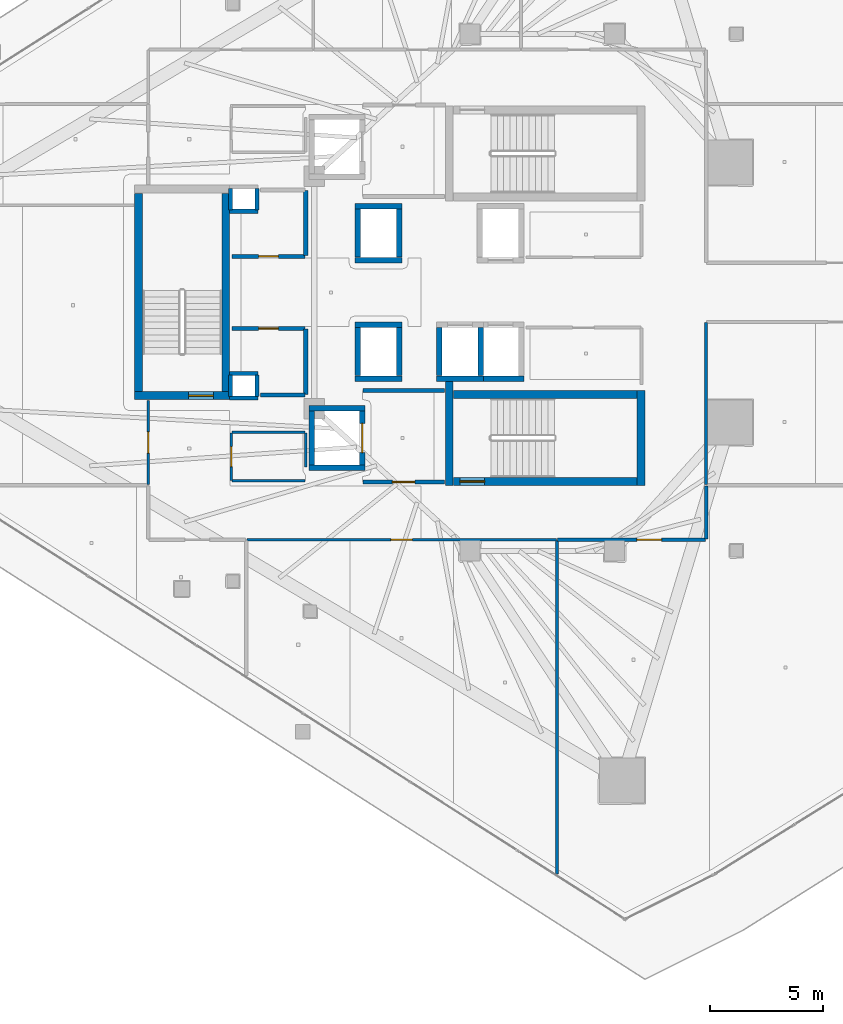
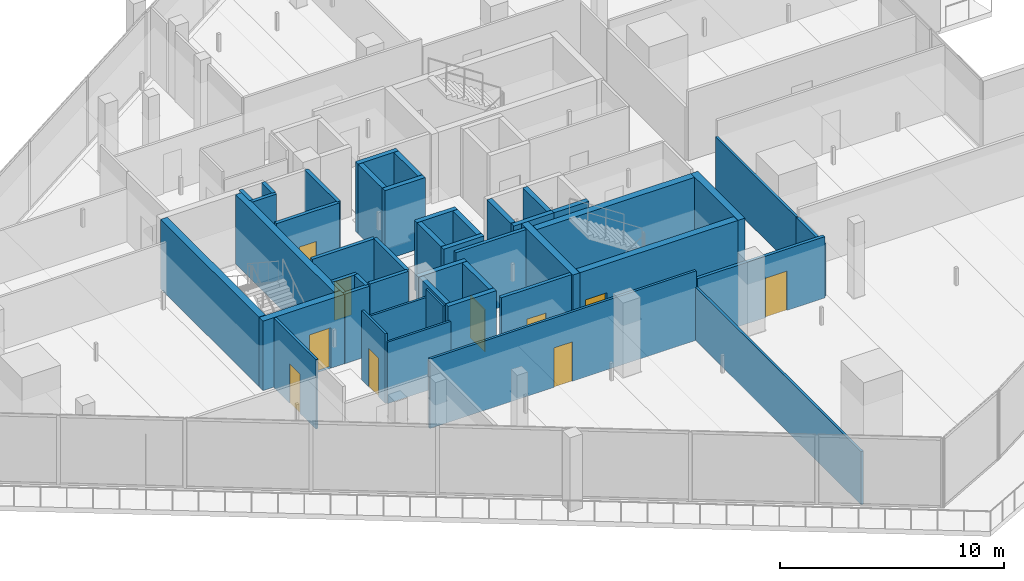
# One storey, part 25 of 37: 47 walls, 10 doors, 10 openings.
"""IFC4 building model written with IfcOpenShell, lengths in metres."""

from ifc_helpers import new_model, si_unit, direction, frame, frame_2d, origin, place, context, subcontext, project, spatial, rectangle, extrude, material, layer, layer_set, type_object, element, fill, save


model = new_model("IFC4")

# Units and contexts
model_context = context("Model", 3, precision=1e-05, world=origin(), true_north=direction((0.0, 1.0)))
body_context = subcontext(model_context, "Body", "Model", "MODEL_VIEW")
ifc_project = project(units=[si_unit("LENGTHUNIT", "METRE"), si_unit("AREAUNIT", "SQUARE_METRE"), si_unit("VOLUMEUNIT", "CUBIC_METRE"), si_unit("PLANEANGLEUNIT", "RADIAN"), si_unit("MASSUNIT", "GRAM", prefix="KILO")], contexts=[model_context])

# Site, building, storey
site_placement = place(None, origin())
site = spatial("IfcSite", under=ifc_project, at=site_placement, CompositionType="ELEMENT")
building_placement = place(site_placement, origin())
building = spatial("IfcBuilding", under=site, at=building_placement, Name="Qorvath Tower", CompositionType="ELEMENT")
storey_placement = place(building_placement, frame((0.0, 0.0, 196.949951171875)))
storey = spatial("IfcBuildingStorey", under=building, at=storey_placement, Name="L45", CompositionType="ELEMENT", Elevation=196.949951171875)

# Walls
ifc_material_1 = material(Name="Gypsum shaftliner on steel studs", Category="steel")
ifc_layer_1 = layer(ifc_material_1, 0.179931640625)
ifc_layer_set_1 = layer_set([ifc_layer_1], Name="FW-LOBBY")
wall_type_1 = type_object("IfcWallType", Name="FW-LOBBY", PredefinedType="PARTITIONING", material=ifc_layer_set_1)
wall_1_placement = place(storey_placement, frame((-32.989990234375, 3.594970703125, 0.0), z_axis=(0.0, 0.0, 1.0), x_axis=(-1.0, 0.0, 0.0)))
element("IfcWall", 1, at=wall_1_placement, inside=storey, type_object=wall_type_1, Name="MEP Riser Shaft Enclosure Wall N-L45-S", PredefinedType="PARTITIONING", context=body_context, shape_type="SweptSolid", body=[
    extrude(rectangle(XDim=1.27001953125, YDim=0.179931640625, at=frame_2d((0.635009765625, 0.0))), origin(), (0.0, 0.0, 1.0), 3.780029296875),
])
for number, where, z_axis, x_axis, name in (
    (2, (-34.205078125, 3.659912109375, 0.0), (0.0, 0.0, 1.0), (0.0, 1.0, 0.0), "MEP Riser Shaft Enclosure Wall N-L45-W"),
    (3, (-33.044921875, 4.610107421875, 0.0), (0.0, 0.0, 1.0), (0.0, -1.0, 0.0), "MEP Riser Shaft Enclosure Wall N-L45-E"),
):
    element("IfcWall", number, at=place(storey_placement, frame(where, z_axis=z_axis, x_axis=x_axis)), inside=storey, type_object=wall_type_1, Name=name, PredefinedType="PARTITIONING", context=body_context, shape_type="SweptSolid", body=[
        extrude(rectangle(XDim=0.9501953125, YDim=0.179931640625, at=frame_2d((0.47509765625, 0.0))), origin(), (0.0, 0.0, 1.0), 3.780029296875),
    ])
for number, where, z_axis, x_axis, name in (
    (4, (-32.989990234375, -4.675048828125, 0.0), (0.0, 0.0, 1.0), (-1.0, 0.0, 0.0), "MEP Riser Shaft Enclosure Wall S-L45-S"),
    (5, (-34.260009765625, -3.594970703125, 0.0), (0.0, 0.0, 1.0), (1.0, 0.0, 0.0), "MEP Riser Shaft Enclosure Wall S-L45-N"),
):
    element("IfcWall", number, at=place(storey_placement, frame(where, z_axis=z_axis, x_axis=x_axis)), inside=storey, type_object=wall_type_1, Name=name, PredefinedType="PARTITIONING", context=body_context, shape_type="SweptSolid", body=[
        extrude(rectangle(XDim=1.27001953125, YDim=0.179931640625, at=frame_2d((0.635009765625, 0.0))), origin(), (0.0, 0.0, 1.0), 3.780029296875),
    ])
for number, where, z_axis, x_axis, name in (
    (6, (-34.205078125, -4.610107421875, 0.0), (0.0, 0.0, 1.0), (0.0, 1.0, 0.0), "MEP Riser Shaft Enclosure Wall S-L45-W"),
    (7, (-33.044921875, -3.659912109375, 0.0), (0.0, 0.0, 1.0), (0.0, -1.0, 0.0), "MEP Riser Shaft Enclosure Wall S-L45-E"),
):
    element("IfcWall", number, at=place(storey_placement, frame(where, z_axis=z_axis, x_axis=x_axis)), inside=storey, type_object=wall_type_1, Name=name, PredefinedType="PARTITIONING", context=body_context, shape_type="SweptSolid", body=[
        extrude(rectangle(XDim=0.9501953125, YDim=0.179931640625, at=frame_2d((0.47509765625, 0.0))), origin(), (0.0, 0.0, 1.0), 3.780029296875),
    ])

# Wall, opening, door
wall_2_placement = place(storey_placement, frame((-28.35498046875, -8.39990234375, 0.0), z_axis=(0.0, 0.0, 1.0), x_axis=(1.0, 0.0, 0.0)))
wall_2 = element("IfcWall", 8, at=wall_2_placement, inside=storey, type_object=wall_type_1, Name="Interior Partition IW-T1-L45-003", PredefinedType="PARTITIONING", context=body_context, shape_type="SweptSolid", body=[
    extrude(rectangle(XDim=3.6220703125, YDim=0.179931640625, at=frame_2d((1.81103515625, 0.0))), origin(), (0.0, 0.0, 1.0), 3.780029296875),
])
opening_1_placement = place(wall_2_placement, frame((1.31103515625, 0.0, 0.0)))
opening_1 = element("IfcOpeningElement", 9, at=opening_1_placement, cuts=wall_2, Name="Opening D-T1-L45-18", PredefinedType="OPENING", context=body_context, shape_type="SweptSolid", body=[
    extrude(rectangle(XDim=1.0, YDim=2.14990234375, at=frame_2d((0.5, 1.074951171875))), frame((0.0, 0.10009765625, 0.0), z_axis=(0.0, -1.0, 0.0), x_axis=(1.0, 0.0, 0.0)), (0.0, 0.0, 1.0), 0.199951171875),
])
ifc_material_2 = material(Name="Painted galvanised hollow metal", Category="steel")
door_type_1 = type_object("IfcDoorType", Name="FD-60", OperationType="NOTDEFINED", PredefinedType="DOOR", material=ifc_material_2)
door_1_placement = place(opening_1_placement, origin())
door_1 = element("IfcDoor", 10, at=door_1_placement, inside=storey, type_object=door_type_1, Name="Lobby Fire Service Elevator South Door D-T1-L45-18", OperationType="SINGLE_SWING_LEFT", OverallHeight=2.14990234375, OverallWidth=1.0, PredefinedType="DOOR", context=body_context, shape_type="SweptSolid", body=[
    extrude(rectangle(XDim=1.0, YDim=2.14990234375, at=frame_2d((0.5, 1.074951171875))), frame((0.0, 0.02490234375, 0.0), z_axis=(0.0, -1.0, 0.0), x_axis=(1.0, 0.0, 0.0)), (0.0, 0.0, 1.0), 0.050048828125),
])
fill(opening_1, door_1)

# Wall
wall_3_placement = place(storey_placement, frame((-24.73291015625, -4.35009765625, 0.0), z_axis=(0.0, 0.0, 1.0), x_axis=(-1.0, 0.0, 0.0)))
element("IfcWall", 11, at=wall_3_placement, inside=storey, type_object=wall_type_1, Name="Interior Partition IW-T1-L45-004", PredefinedType="PARTITIONING", context=body_context, shape_type="SweptSolid", body=[
    extrude(rectangle(XDim=3.6220703125, YDim=0.179931640625, at=frame_2d((1.81103515625, 0.0))), origin(), (0.0, 0.0, 1.0), 3.780029296875),
])

# Wall, opening, door
wall_4_placement = place(storey_placement, frame((-34.15478515625, 1.60009765625, 0.0), z_axis=(0.0, 0.0, 1.0), x_axis=(1.0, 0.0, 0.0)))
wall_4 = element("IfcWall", 12, at=wall_4_placement, inside=storey, type_object=wall_type_1, Name="Interior Partition IW-T1-L45-017", PredefinedType="PARTITIONING", context=body_context, shape_type="SweptSolid", body=[
    extrude(rectangle(XDim=3.25, YDim=0.179931640625, at=frame_2d((1.625, 0.0))), origin(), (0.0, 0.0, 1.0), 3.780029296875),
])
opening_2_placement = place(wall_4_placement, frame((1.18505859375, 0.0, 0.0)))
opening_2 = element("IfcOpeningElement", 13, at=opening_2_placement, cuts=wall_4, Name="Opening D-T1-L45-05", PredefinedType="OPENING", context=body_context, shape_type="SweptSolid", body=[
    extrude(rectangle(XDim=0.8798828125, YDim=2.10009765625, at=frame_2d((0.43994140625, 1.050048828125))), frame((0.0, 0.10009765625, 0.0), z_axis=(0.0, -1.0, 0.0), x_axis=(1.0, 0.0, 0.0)), (0.0, 0.0, 1.0), 0.199951171875),
])
ifc_material_3 = material(Name="Painted galvanised hollow metal", Category="steel")
door_type_2 = type_object("IfcDoorType", Name="FD-60N", OperationType="NOTDEFINED", PredefinedType="DOOR", material=ifc_material_3)
door_2_placement = place(opening_2_placement, origin())
door_2 = element("IfcDoor", 14, at=door_2_placement, inside=storey, type_object=door_type_2, Name="Core telecom and comms room L45 Door D-T1-L45-05", OperationType="SINGLE_SWING_RIGHT", OverallHeight=2.10009765625, OverallWidth=0.8798828125, PredefinedType="DOOR", context=body_context, shape_type="SweptSolid", body=[
    extrude(rectangle(XDim=0.8798828125, YDim=2.10009765625, at=frame_2d((0.43994140625, 1.050048828125))), frame((0.0, 0.02490234375, 0.0), z_axis=(0.0, -1.0, 0.0), x_axis=(1.0, 0.0, 0.0)), (0.0, 0.0, 1.0), 0.050048828125),
])
fill(opening_2, door_2)

# Walls
wall_5_placement = place(storey_placement, frame((-30.8798828125, 1.625, 0.0), z_axis=(0.0, 0.0, 1.0), x_axis=(0.0, 1.0, 0.0)))
element("IfcWall", 15, at=wall_5_placement, inside=storey, type_object=wall_type_1, Name="Interior Partition IW-T1-L45-018", PredefinedType="PARTITIONING", context=body_context, shape_type="SweptSolid", body=[
    extrude(rectangle(XDim=2.889892578125, YDim=0.179931640625, at=frame_2d((1.44482421875, 0.0))), origin(), (0.0, 0.0, 1.0), 3.780029296875),
])
wall_6_placement = place(storey_placement, frame((-32.8798828125, -4.5400390625, 0.0), z_axis=(0.0, 0.0, 1.0), x_axis=(1.0, 0.0, 0.0)))
element("IfcWall", 16, at=wall_6_placement, inside=storey, type_object=wall_type_1, Name="Interior Partition IW-T1-L45-020", PredefinedType="PARTITIONING", context=body_context, shape_type="SweptSolid", body=[
    extrude(rectangle(XDim=1.97509765625, YDim=0.179931640625, at=frame_2d((0.987548828125, 0.0))), origin(), (0.0, 0.0, 1.0), 3.780029296875),
])
wall_7_placement = place(storey_placement, frame((-30.8798828125, -4.514892578125, 0.0), z_axis=(0.0, 0.0, 1.0), x_axis=(0.0, 1.0, 0.0)))
element("IfcWall", 17, at=wall_7_placement, inside=storey, type_object=wall_type_1, Name="Interior Partition IW-T1-L45-021", PredefinedType="PARTITIONING", context=body_context, shape_type="SweptSolid", body=[
    extrude(rectangle(XDim=2.889892578125, YDim=0.179931640625, at=frame_2d((1.44482421875, 0.0))), origin(), (0.0, 0.0, 1.0), 3.780029296875),
])

# Wall, opening, door
wall_8_placement = place(storey_placement, frame((-30.90478515625, -1.60009765625, 0.0), z_axis=(0.0, 0.0, 1.0), x_axis=(-1.0, 0.0, 0.0)))
wall_8 = element("IfcWall", 18, at=wall_8_placement, inside=storey, type_object=wall_type_1, Name="Interior Partition IW-T1-L45-022", PredefinedType="PARTITIONING", context=body_context, shape_type="SweptSolid", body=[
    extrude(rectangle(XDim=3.25, YDim=0.179931640625, at=frame_2d((1.625, 0.0))), origin(), (0.0, 0.0, 1.0), 3.780029296875),
])
opening_3_placement = place(wall_8_placement, frame((1.18505859375, 0.0, 0.0)))
opening_3 = element("IfcOpeningElement", 19, at=opening_3_placement, cuts=wall_8, Name="Opening D-T1-L45-06", PredefinedType="OPENING", context=body_context, shape_type="SweptSolid", body=[
    extrude(rectangle(XDim=0.8798828125, YDim=2.10009765625, at=frame_2d((0.43994140625, 1.050048828125))), frame((0.0, 0.10009765625, 0.0), z_axis=(0.0, -1.0, 0.0), x_axis=(1.0, 0.0, 0.0)), (0.0, 0.0, 1.0), 0.199951171875),
])
door_3_placement = place(opening_3_placement, origin())
door_3 = element("IfcDoor", 20, at=door_3_placement, inside=storey, type_object=door_type_2, Name="Core housekeeping store L45 Door D-T1-L45-06", OperationType="SINGLE_SWING_LEFT", OverallHeight=2.10009765625, OverallWidth=0.8798828125, PredefinedType="DOOR", context=body_context, shape_type="SweptSolid", body=[
    extrude(rectangle(XDim=0.8798828125, YDim=2.10009765625, at=frame_2d((0.43994140625, 1.050048828125))), frame((0.0, 0.02490234375, 0.0), z_axis=(0.0, -1.0, 0.0), x_axis=(1.0, 0.0, 0.0)), (0.0, 0.0, 1.0), 0.050048828125),
])
fill(opening_3, door_3)

# Wall
ifc_material_4 = material(Name="Double acoustic gypsum board on steel studs", Category="steel")
ifc_layer_2 = layer(ifc_material_4, 0.159912109375)
ifc_layer_set_2 = layer_set([ifc_layer_2], Name="IW-ACOUSTIC-160")
wall_type_2 = type_object("IfcWallType", Name="IW-ACOUSTIC-160", PredefinedType="PARTITIONING", material=ifc_layer_set_2)
wall_9_placement = place(storey_placement, frame((-13.14208984375, -8.574951171875, 0.0), z_axis=(0.0, 0.0, 1.0), x_axis=(0.0, -1.0, 0.0)))
element("IfcWall", 21, at=wall_9_placement, inside=storey, type_object=wall_type_2, Name="Interior Partition IW-T1-L45-041", PredefinedType="PARTITIONING", context=body_context, shape_type="SweptSolid", body=[
    extrude(rectangle(XDim=2.358154296875, YDim=0.159912109375, at=frame_2d((1.17919921875, 0.0))), origin(), (0.0, 0.0, 1.0), 2.89990234375),
])

# Wall, opening, door
wall_10_placement = place(storey_placement, frame((-13.1669921875, -10.9580078125, 0.0), z_axis=(0.0, 0.0, 1.0), x_axis=(-1.0, 0.0, 0.0)))
wall_10 = element("IfcWall", 22, at=wall_10_placement, inside=storey, type_object=wall_type_2, Name="Interior Partition IW-T1-L45-042", PredefinedType="PARTITIONING", context=body_context, shape_type="SweptSolid", body=[
    extrude(rectangle(XDim=6.552001953125, YDim=0.159912109375, at=frame_2d((3.27587890625, 0.0))), origin(), (0.0, 0.0, 1.0), 3.34423828125),
])
opening_4_placement = place(wall_10_placement, frame((1.947021484375, 0.0, 0.0)))
opening_4 = element("IfcOpeningElement", 23, at=opening_4_placement, cuts=wall_10, Name="Opening D-T1-L45-12", PredefinedType="OPENING", context=body_context, shape_type="SweptSolid", body=[
    extrude(rectangle(XDim=1.10009765625, YDim=2.14990234375, at=frame_2d((0.550048828125, 1.074951171875))), frame((0.0, 0.08984375, 0.0), z_axis=(0.0, -1.0, 0.0), x_axis=(1.0, 0.0, 0.0)), (0.0, 0.0, 1.0), 0.179931640625),
])
ifc_material_5 = material(Name="Anodised aluminium acoustic framed glass", Category="aluminium")
door_type_3 = type_object("IfcDoorType", Name="D-03", OperationType="NOTDEFINED", PredefinedType="DOOR", material=ifc_material_5)
door_4_placement = place(opening_4_placement, origin())
door_4 = element("IfcDoor", 24, at=door_4_placement, inside=storey, type_object=door_type_3, Name="L45-06 Team Project Office Door D-T1-L45-12", OperationType="SINGLE_SWING_LEFT", OverallHeight=2.14990234375, OverallWidth=1.10009765625, PredefinedType="DOOR", context=body_context, shape_type="SweptSolid", body=[
    extrude(rectangle(XDim=1.10009765625, YDim=2.14990234375, at=frame_2d((0.550048828125, 1.074951171875))), frame((0.0, 0.02490234375, 0.0), z_axis=(0.0, -1.0, 0.0), x_axis=(1.0, 0.0, 0.0)), (0.0, 0.0, 1.0), 0.050048828125),
])
fill(opening_4, door_4)

ifc_material_6 = material(Name="Gypsum board on metal studs with mineral wool", Category="gypsum")
ifc_layer_3 = layer(ifc_material_6, 0.125)
ifc_layer_set_3 = layer_set([ifc_layer_3], Name="IW-PART-125")
wall_type_3 = type_object("IfcWallType", Name="IW-PART-125", PredefinedType="PARTITIONING", material=ifc_layer_set_3)
wall_11_placement = place(storey_placement, frame((-19.777099609375, -10.9580078125, 0.0), z_axis=(0.0, 0.0, 1.0), x_axis=(-1.0, 0.0, 0.0)))
wall_11 = element("IfcWall", 25, at=wall_11_placement, inside=storey, type_object=wall_type_3, Name="Interior Partition IW-T1-L45-038", PredefinedType="PARTITIONING", context=body_context, shape_type="SweptSolid", body=[
    extrude(rectangle(XDim=13.70849609375, YDim=0.125, at=frame_2d((6.854248046875, 0.0))), origin(), (0.0, 0.0, 1.0), 3.780029296875),
])
opening_5_placement = place(wall_11_placement, frame((6.379150390625, 0.0, 0.0)))
opening_5 = element("IfcOpeningElement", 26, at=opening_5_placement, cuts=wall_11, Name="Opening D-T1-L45-11", PredefinedType="OPENING", context=body_context, shape_type="SweptSolid", body=[
    extrude(rectangle(XDim=0.949951171875, YDim=2.14990234375, at=frame_2d((0.47509765625, 1.074951171875))), frame((0.0, 0.072509765625, 0.0), z_axis=(0.0, -1.0, 0.0), x_axis=(1.0, 0.0, 0.0)), (0.0, 0.0, 1.0), 0.14501953125),
])
ifc_material_7 = material(Name="Solid-core American white oak veneer", Category="wood")
door_type_4 = type_object("IfcDoorType", Name="D-01", OperationType="NOTDEFINED", PredefinedType="DOOR", material=ifc_material_7)
door_5_placement = place(opening_5_placement, origin())
door_5 = element("IfcDoor", 27, at=door_5_placement, inside=storey, type_object=door_type_4, Name="L45-05 Quantitative Research Studio Door D-T1-L45-11", OperationType="SINGLE_SWING_RIGHT", OverallHeight=2.14990234375, OverallWidth=0.949951171875, PredefinedType="DOOR", context=body_context, shape_type="SweptSolid", body=[
    extrude(rectangle(XDim=0.949951171875, YDim=2.14990234375, at=frame_2d((0.47509765625, 1.074951171875))), frame((0.0, 0.02490234375, 0.0), z_axis=(0.0, -1.0, 0.0), x_axis=(1.0, 0.0, 0.0)), (0.0, 0.0, 1.0), 0.050048828125),
])
fill(opening_5, door_5)

# Walls
wall_12_placement = place(storey_placement, frame((-19.752197265625, -25.767822265625, 0.0), z_axis=(0.0, 0.0, 1.0), x_axis=(0.0, 1.0, 0.0)))
element("IfcWall", 28, at=wall_12_placement, inside=storey, type_object=wall_type_3, Name="Interior Partition IW-T1-L45-039", PredefinedType="PARTITIONING", context=body_context, shape_type="SweptSolid", body=[
    extrude(rectangle(XDim=14.784912109375, YDim=0.125, at=frame_2d((7.392578125, 0.0))), origin(), (0.0, 0.0, 1.0), 2.89501953125),
])
wall_13_placement = place(storey_placement, frame((-13.14208984375, -1.3330078125, 0.0), z_axis=(0.0, 0.0, 1.0), x_axis=(0.0, -1.0, 0.0)))
element("IfcWall", 29, at=wall_13_placement, inside=storey, type_object=wall_type_3, Name="Interior Partition IW-T1-L45-044", PredefinedType="PARTITIONING", context=body_context, shape_type="SweptSolid", body=[
    extrude(rectangle(XDim=7.18408203125, YDim=0.125, at=frame_2d((3.592041015625, 0.0))), origin(), (0.0, 0.0, 1.0), 2.89990234375),
])

# Wall, opening, door
wall_14_placement = place(storey_placement, frame((-37.85791015625, -8.51708984375, 0.0), z_axis=(0.0, 0.0, 1.0), x_axis=(0.0, 1.0, 0.0)))
wall_14 = element("IfcWall", 30, at=wall_14_placement, inside=storey, type_object=wall_type_3, Name="Interior Partition IW-T1-L45-047", PredefinedType="PARTITIONING", context=body_context, shape_type="SweptSolid", body=[
    extrude(rectangle(XDim=3.73388671875, YDim=0.125, at=frame_2d((1.866943359375, 0.0))), origin(), (0.0, 0.0, 1.0), 3.780029296875),
])
opening_6_placement = place(wall_14_placement, frame((1.391845703125, 0.0, 0.0)))
opening_6 = element("IfcOpeningElement", 31, at=opening_6_placement, cuts=wall_14, Name="Opening D-T1-L45-15", PredefinedType="OPENING", context=body_context, shape_type="SweptSolid", body=[
    extrude(rectangle(XDim=0.949951171875, YDim=2.14990234375, at=frame_2d((0.47509765625, 1.074951171875))), frame((0.0, 0.072509765625, 0.0), z_axis=(0.0, -1.0, 0.0), x_axis=(1.0, 0.0, 0.0)), (0.0, 0.0, 1.0), 0.14501953125),
])
door_6_placement = place(opening_6_placement, origin())
door_6 = element("IfcDoor", 32, at=door_6_placement, inside=storey, type_object=door_type_4, Name="L45-09 Focus Collaboration Pod Door D-T1-L45-15", OperationType="SINGLE_SWING_RIGHT", OverallHeight=2.14990234375, OverallWidth=0.949951171875, PredefinedType="DOOR", context=body_context, shape_type="SweptSolid", body=[
    extrude(rectangle(XDim=0.949951171875, YDim=2.14990234375, at=frame_2d((0.47509765625, 1.074951171875))), frame((0.0, 0.02490234375, 0.0), z_axis=(0.0, -1.0, 0.0), x_axis=(1.0, 0.0, 0.0)), (0.0, 0.0, 1.0), 0.050048828125),
])
fill(opening_6, door_6)

ifc_material_8 = material(Name="Moisture-resistant cement board on metal studs", Category="gypsum")
ifc_layer_4 = layer(ifc_material_8, 0.110107421875)
ifc_layer_set_4 = layer_set([ifc_layer_4], Name="IW-WC-110")
wall_type_4 = type_object("IfcWallType", Name="IW-WC-110", PredefinedType="PARTITIONING", material=ifc_layer_set_4)
wall_15_placement = place(storey_placement, frame((-34.179931640625, -6.22509765625, 0.0), z_axis=(0.0, 0.0, 1.0), x_axis=(0.0, -1.0, 0.0)))
wall_15 = element("IfcWall", 33, at=wall_15_placement, inside=storey, type_object=wall_type_4, Name="Interior Partition IW-T1-L45-009", PredefinedType="PARTITIONING", context=body_context, shape_type="SweptSolid", body=[
    extrude(rectangle(XDim=2.10009765625, YDim=0.110107421875, at=frame_2d((1.050048828125, 0.0))), origin(), (0.0, 0.0, 1.0), 3.780029296875),
])
opening_7_placement = place(wall_15_placement, frame((0.610107421875, 0.0, 0.0)))
opening_7 = element("IfcOpeningElement", 34, at=opening_7_placement, cuts=wall_15, Name="Opening D-T1-L45-02", PredefinedType="OPENING", context=body_context, shape_type="SweptSolid", body=[
    extrude(rectangle(XDim=0.8798828125, YDim=2.10009765625, at=frame_2d((0.43994140625, 1.050048828125))), frame((0.0, 0.06494140625, 0.0), z_axis=(0.0, -1.0, 0.0), x_axis=(1.0, 0.0, 0.0)), (0.0, 0.0, 1.0), 0.130126953125),
])
ifc_material_9 = material(Name="Solid-core oak with acoustic drop seal", Category="wood")
door_type_5 = type_object("IfcDoorType", Name="D-02", OperationType="NOTDEFINED", PredefinedType="DOOR", material=ifc_material_9)
door_7_placement = place(opening_7_placement, origin())
door_7 = element("IfcDoor", 35, at=door_7_placement, inside=storey, type_object=door_type_5, Name="Accessible WC South L45 Door D-T1-L45-02", OperationType="SINGLE_SWING_LEFT", OverallHeight=2.10009765625, OverallWidth=0.8798828125, PredefinedType="DOOR", context=body_context, shape_type="SweptSolid", body=[
    extrude(rectangle(XDim=0.8798828125, YDim=2.10009765625, at=frame_2d((0.43994140625, 1.050048828125))), frame((0.0, 0.02490234375, 0.0), z_axis=(0.0, -1.0, 0.0), x_axis=(1.0, 0.0, 0.0)), (0.0, 0.0, 1.0), 0.050048828125),
])
fill(opening_7, door_7)

# Walls
wall_16_placement = place(storey_placement, frame((-34.15478515625, -8.35009765625, 0.0), z_axis=(0.0, 0.0, 1.0), x_axis=(1.0, 0.0, 0.0)))
element("IfcWall", 36, at=wall_16_placement, inside=storey, type_object=wall_type_4, Name="Interior Partition IW-T1-L45-010", PredefinedType="PARTITIONING", context=body_context, shape_type="SweptSolid", body=[
    extrude(rectangle(XDim=3.25, YDim=0.110107421875, at=frame_2d((1.625, 0.0))), origin(), (0.0, 0.0, 1.0), 3.34423828125),
])
wall_17_placement = place(storey_placement, frame((-30.8798828125, -7.742919921875, 0.0), z_axis=(0.0, 0.0, 1.0), x_axis=(0.0, 1.0, 0.0)))
element("IfcWall", 37, at=wall_17_placement, inside=storey, type_object=wall_type_4, Name="Interior Partition IW-T1-L45-011", PredefinedType="PARTITIONING", context=body_context, shape_type="SweptSolid", body=[
    extrude(rectangle(XDim=1.517822265625, YDim=0.110107421875, at=frame_2d((0.7587890625, 0.0))), origin(), (0.0, 0.0, 1.0), 3.780029296875),
])
wall_18_placement = place(storey_placement, frame((-30.90478515625, -6.199951171875, 0.0), z_axis=(0.0, 0.0, 1.0), x_axis=(-1.0, 0.0, 0.0)))
element("IfcWall", 38, at=wall_18_placement, inside=storey, type_object=wall_type_4, Name="Interior Partition IW-T1-L45-012", PredefinedType="PARTITIONING", context=body_context, shape_type="SweptSolid", body=[
    extrude(rectangle(XDim=3.25, YDim=0.110107421875, at=frame_2d((1.625, 0.0))), origin(), (0.0, 0.0, 1.0), 3.34423828125),
])
ifc_material_10 = material(Name="Concrete C60/75", Category="concrete")
ifc_layer_5 = layer(ifc_material_10, 0.260009765625)
ifc_layer_set_5 = layer_set([ifc_layer_5], Name="SW-SHAFT")
wall_type_5 = type_object("IfcWallType", Name="SW-SHAFT", PredefinedType="SHEAR", material=ifc_layer_set_5)
for number, where, z_axis, x_axis, name in (
    (39, (-28.260009765625, -7.77001953125, 0.0), (0.0, 0.0, 1.0), (-1.0, 0.0, 0.0), "Hoistway Wall FSAE-2 L45 S"),
    (40, (-30.739990234375, -5.1298828125, 0.0), (0.0, 0.0, 1.0), (1.0, 0.0, 0.0), "Hoistway Wall FSAE-2 L45 N"),
):
    element("IfcWall", number, at=place(storey_placement, frame(where, z_axis=z_axis, x_axis=x_axis)), inside=storey, type_object=wall_type_5, Name=name, PredefinedType="SHEAR", context=body_context, shape_type="SweptSolid", body=[
        extrude(rectangle(XDim=2.47998046875, YDim=0.239990234375, at=frame_2d((1.239990234375, 0.0))), origin(), (0.0, 0.0, 1.0), 3.780029296875),
    ])
wall_19_placement = place(storey_placement, frame((-30.6201171875, -7.637939453125, 0.0), z_axis=(0.0, 0.0, 1.0), x_axis=(0.0, 1.0, 0.0)))
element("IfcWall", 41, at=wall_19_placement, inside=storey, type_object=wall_type_5, Name="Hoistway Wall FSAE-2 L45 W", PredefinedType="SHEAR", context=body_context, shape_type="SweptSolid", body=[
    extrude(rectangle(XDim=2.3759765625, YDim=0.239990234375, at=frame_2d((1.18798828125, 0.0))), origin(), (0.0, 0.0, 1.0), 3.780029296875),
])

# Wall, opening, door
wall_20_placement = place(storey_placement, frame((-28.3798828125, -5.261962890625, 0.0), z_axis=(0.0, 0.0, 1.0), x_axis=(0.0, -1.0, 0.0)))
wall_20 = element("IfcWall", 42, at=wall_20_placement, inside=storey, type_object=wall_type_5, Name="Hoistway Wall FSAE-2 L45 E", PredefinedType="SHEAR", context=body_context, shape_type="SweptSolid", body=[
    extrude(rectangle(XDim=2.3759765625, YDim=0.239990234375, at=frame_2d((1.18798828125, 0.0))), origin(), (0.0, 0.0, 1.0), 3.780029296875),
])
opening_8_placement = place(wall_20_placement, frame((0.5380859375, 0.0, 0.0)))
opening_8 = element("IfcOpeningElement", 43, at=opening_8_placement, cuts=wall_20, Name="Opening LD-FSAE-2-L45", PredefinedType="OPENING", context=body_context, shape_type="SweptSolid", body=[
    extrude(rectangle(XDim=1.300048828125, YDim=2.300048828125, at=frame_2d((0.64990234375, 1.14990234375))), frame((0.0, 0.1298828125, 0.0), z_axis=(0.0, -1.0, 0.0), x_axis=(1.0, 0.0, 0.0)), (0.0, 0.0, 1.0), 0.260009765625),
])
ifc_material_11 = material(Name="Brushed stainless steel AISI 316", Category="steel")
door_type_6 = type_object("IfcDoorType", Name="LD-02", OperationType="NOTDEFINED", PredefinedType="DOOR", material=ifc_material_11)
door_8_placement = place(opening_8_placement, origin())
door_8 = element("IfcDoor", 44, at=door_8_placement, inside=storey, type_object=door_type_6, Name="Elevator Landing Sliding Door LD-FSAE-2-L45", OperationType="DOUBLE_DOOR_SLIDING", OverallHeight=2.300048828125, OverallWidth=1.300048828125, PredefinedType="DOOR", context=body_context, shape_type="SweptSolid", body=[
    extrude(rectangle(XDim=1.300048828125, YDim=2.300048828125, at=frame_2d((0.64990234375, 1.14990234375))), frame((0.0, 0.02490234375, 0.0), z_axis=(0.0, -1.0, 0.0), x_axis=(1.0, 0.0, 0.0)), (0.0, 0.0, 1.0), 0.050048828125),
])
fill(opening_8, door_8)

# Walls
for number, where, z_axis, x_axis, name in (
    (45, (-26.610107421875, 1.429931640625, 0.0), (0.0, 0.0, 1.0), (-1.0, 0.0, 0.0), "Hoistway Wall PS-1 L45 S"),
    (46, (-28.68994140625, 3.820068359375, 0.0), (0.0, 0.0, 1.0), (1.0, 0.0, 0.0), "Hoistway Wall PS-1 L45 N"),
):
    element("IfcWall", number, at=place(storey_placement, frame(where, z_axis=z_axis, x_axis=x_axis)), inside=storey, type_object=wall_type_5, Name=name, PredefinedType="SHEAR", context=body_context, shape_type="SweptSolid", body=[
        extrude(rectangle(XDim=2.079833984375, YDim=0.239990234375, at=frame_2d((1.0400390625, 0.0))), origin(), (0.0, 0.0, 1.0), 3.780029296875),
    ])
for number, where, z_axis, x_axis, name in (
    (47, (-28.570068359375, 1.56201171875, 0.0), (0.0, 0.0, 1.0), (0.0, 1.0, 0.0), "Hoistway Wall PS-1 L45 W"),
    (48, (-26.72998046875, 3.68798828125, 0.0), (0.0, 0.0, 1.0), (0.0, -1.0, 0.0), "Hoistway Wall PS-1 L45 E"),
):
    element("IfcWall", number, at=place(storey_placement, frame(where, z_axis=z_axis, x_axis=x_axis)), inside=storey, type_object=wall_type_5, Name=name, PredefinedType="SHEAR", context=body_context, shape_type="SweptSolid", body=[
        extrude(rectangle(XDim=2.1259765625, YDim=0.239990234375, at=frame_2d((1.06298828125, 0.0))), origin(), (0.0, 0.0, 1.0), 3.780029296875),
    ])
for number, where, z_axis, x_axis, name in (
    (49, (-26.610107421875, -3.820068359375, 0.0), (0.0, 0.0, 1.0), (-1.0, 0.0, 0.0), "Hoistway Wall PS-2 L45 S"),
    (50, (-28.68994140625, -1.429931640625, 0.0), (0.0, 0.0, 1.0), (1.0, 0.0, 0.0), "Hoistway Wall PS-2 L45 N"),
):
    element("IfcWall", number, at=place(storey_placement, frame(where, z_axis=z_axis, x_axis=x_axis)), inside=storey, type_object=wall_type_5, Name=name, PredefinedType="SHEAR", context=body_context, shape_type="SweptSolid", body=[
        extrude(rectangle(XDim=2.079833984375, YDim=0.239990234375, at=frame_2d((1.0400390625, 0.0))), origin(), (0.0, 0.0, 1.0), 3.780029296875),
    ])
for number, where, z_axis, x_axis, name in (
    (51, (-28.570068359375, -3.68798828125, 0.0), (0.0, 0.0, 1.0), (0.0, 1.0, 0.0), "Hoistway Wall PS-2 L45 W"),
    (52, (-26.72998046875, -1.56201171875, 0.0), (0.0, 0.0, 1.0), (0.0, -1.0, 0.0), "Hoistway Wall PS-2 L45 E"),
):
    element("IfcWall", number, at=place(storey_placement, frame(where, z_axis=z_axis, x_axis=x_axis)), inside=storey, type_object=wall_type_5, Name=name, PredefinedType="SHEAR", context=body_context, shape_type="SweptSolid", body=[
        extrude(rectangle(XDim=2.1259765625, YDim=0.239990234375, at=frame_2d((1.06298828125, 0.0))), origin(), (0.0, 0.0, 1.0), 3.780029296875),
    ])
wall_21_placement = place(storey_placement, frame((-23.010009765625, -3.820068359375, 0.0), z_axis=(0.0, 0.0, 1.0), x_axis=(-1.0, 0.0, 0.0)))
element("IfcWall", 53, at=wall_21_placement, inside=storey, type_object=wall_type_5, Name="Hoistway Wall PU-2 L45 S", PredefinedType="SHEAR", context=body_context, shape_type="SweptSolid", body=[
    extrude(rectangle(XDim=2.080078125, YDim=0.239990234375, at=frame_2d((1.0400390625, 0.0))), origin(), (0.0, 0.0, 1.0), 3.780029296875),
])
for number, where, z_axis, x_axis, name in (
    (54, (-24.969970703125, -3.68798828125, 0.0), (0.0, 0.0, 1.0), (0.0, 1.0, 0.0), "Hoistway Wall PU-2 L45 W"),
    (55, (-23.1298828125, -1.56201171875, 0.0), (0.0, 0.0, 1.0), (0.0, -1.0, 0.0), "Hoistway Wall PU-2 L45 E"),
):
    element("IfcWall", number, at=place(storey_placement, frame(where, z_axis=z_axis, x_axis=x_axis)), inside=storey, type_object=wall_type_5, Name=name, PredefinedType="SHEAR", context=body_context, shape_type="SweptSolid", body=[
        extrude(rectangle(XDim=2.1259765625, YDim=0.239990234375, at=frame_2d((1.06298828125, 0.0))), origin(), (0.0, 0.0, 1.0), 3.780029296875),
    ])
wall_22_placement = place(storey_placement, frame((-21.2099609375, -3.820068359375, 0.0), z_axis=(0.0, 0.0, 1.0), x_axis=(-1.0, 0.0, 0.0)))
element("IfcWall", 56, at=wall_22_placement, inside=storey, type_object=wall_type_5, Name="Hoistway Wall PU-3 L45 S", PredefinedType="SHEAR", context=body_context, shape_type="SweptSolid", body=[
    extrude(rectangle(XDim=1.800048828125, YDim=0.239990234375, at=frame_2d((0.89990234375, 0.0))), origin(), (0.0, 0.0, 1.0), 3.780029296875),
])
ifc_material_12 = material(Name="Concrete C60/75", Category="concrete")
ifc_layer_6 = layer(ifc_material_12, 0.35009765625)
ifc_layer_set_6 = layer_set([ifc_layer_6], Name="SW-STAIR")
wall_type_6 = type_object("IfcWallType", Name="SW-STAIR", PredefinedType="SHEAR", material=ifc_layer_set_6)
wall_23_placement = place(storey_placement, frame((-24.52490234375, -3.93994140625, 0.0), z_axis=(0.0, 0.0, 1.0), x_axis=(0.0, -1.0, 0.0)))
element("IfcWall", 57, at=wall_23_placement, inside=storey, type_object=wall_type_6, Name="Stair TS2 Shear Wall L45 NEAR", PredefinedType="SHEAR", context=body_context, shape_type="SweptSolid", body=[
    extrude(rectangle(XDim=4.610107421875, YDim=0.35009765625, at=frame_2d((2.30517578125, 0.0))), origin(), (0.0, 0.0, 1.0), 3.780029296875),
])
wall_24_placement = place(storey_placement, frame((-16.02490234375, -8.550048828125, 0.0), z_axis=(0.0, 0.0, 1.0), x_axis=(0.0, 1.0, 0.0)))
element("IfcWall", 58, at=wall_24_placement, inside=storey, type_object=wall_type_6, Name="Stair TS2 Shear Wall L45 FAR", PredefinedType="SHEAR", context=body_context, shape_type="SweptSolid", body=[
    extrude(rectangle(XDim=4.2099609375, YDim=0.35009765625, at=frame_2d((2.10498046875, 0.0))), origin(), (0.0, 0.0, 1.0), 3.780029296875),
])

# Wall, opening, door
wall_25_placement = place(storey_placement, frame((-24.3349609375, -8.375, 0.0), z_axis=(0.0, 0.0, 1.0), x_axis=(1.0, 0.0, 0.0)))
wall_25 = element("IfcWall", 59, at=wall_25_placement, inside=storey, type_object=wall_type_6, Name="Stair TS2 Shear Wall L45 LEFT", PredefinedType="SHEAR", context=body_context, shape_type="SweptSolid", body=[
    extrude(rectangle(XDim=8.119873046875, YDim=0.35009765625, at=frame_2d((4.06005859375, 0.0))), origin(), (0.0, 0.0, 1.0), 3.780029296875),
])
opening_9_placement = place(wall_25_placement, frame((0.280029296875, 0.0, 0.0)))
opening_9 = element("IfcOpeningElement", 60, at=opening_9_placement, cuts=wall_25, Name="Opening D-TS2-L45", PredefinedType="OPENING", context=body_context, shape_type="SweptSolid", body=[
    extrude(rectangle(XDim=1.10009765625, YDim=2.199951171875, at=frame_2d((0.550048828125, 1.10009765625))), frame((0.0, 0.18505859375, 0.0), z_axis=(0.0, -1.0, 0.0), x_axis=(1.0, 0.0, 0.0)), (0.0, 0.0, 1.0), 0.3701171875),
])
ifc_material_13 = material(Name="Painted galvanised hollow metal", Category="steel")
door_type_7 = type_object("IfcDoorType", Name="FD-90", OperationType="NOTDEFINED", PredefinedType="DOOR", material=ifc_material_13)
door_9_placement = place(opening_9_placement, origin())
door_9 = element("IfcDoor", 61, at=door_9_placement, inside=storey, type_object=door_type_7, Name="Stair TS2 Fire Door L45", OperationType="SINGLE_SWING_RIGHT", OverallHeight=2.199951171875, OverallWidth=1.10009765625, PredefinedType="DOOR", context=body_context, shape_type="SweptSolid", body=[
    extrude(rectangle(XDim=1.10009765625, YDim=2.199951171875, at=frame_2d((0.550048828125, 1.10009765625))), frame((0.0, 0.02490234375, 0.0), z_axis=(0.0, -1.0, 0.0), x_axis=(1.0, 0.0, 0.0)), (0.0, 0.0, 1.0), 0.050048828125),
])
fill(opening_9, door_9)

# Wall
wall_26_placement = place(storey_placement, frame((-16.215087890625, -4.514892578125, 0.0), z_axis=(0.0, 0.0, 1.0), x_axis=(-1.0, 0.0, 0.0)))
element("IfcWall", 62, at=wall_26_placement, inside=storey, type_object=wall_type_6, Name="Stair TS2 Shear Wall L45 RIGHT", PredefinedType="SHEAR", context=body_context, shape_type="SweptSolid", body=[
    extrude(rectangle(XDim=8.119873046875, YDim=0.35009765625, at=frame_2d((4.06005859375, 0.0))), origin(), (0.0, 0.0, 1.0), 3.780029296875),
])

# Wall, opening, door
wall_27_placement = place(storey_placement, frame((-38.4599609375, -4.574951171875, 0.0), z_axis=(0.0, 0.0, 1.0), x_axis=(1.0, 0.0, 0.0)))
wall_27 = element("IfcWall", 63, at=wall_27_placement, inside=storey, type_object=wall_type_6, Name="Stair TS3 Shear Wall L45 NEAR", PredefinedType="SHEAR", context=body_context, shape_type="SweptSolid", body=[
    extrude(rectangle(XDim=4.2099609375, YDim=0.35009765625, at=frame_2d((2.10498046875, 0.0))), origin(), (0.0, 0.0, 1.0), 3.780029296875),
])
opening_10_placement = place(wall_27_placement, frame((2.389892578125, 0.0, 0.0)))
opening_10 = element("IfcOpeningElement", 64, at=opening_10_placement, cuts=wall_27, Name="Opening D-TS3-L45", PredefinedType="OPENING", context=body_context, shape_type="SweptSolid", body=[
    extrude(rectangle(XDim=1.10009765625, YDim=2.199951171875, at=frame_2d((0.550048828125, 1.10009765625))), frame((0.0, 0.18505859375, 0.0), z_axis=(0.0, -1.0, 0.0), x_axis=(1.0, 0.0, 0.0)), (0.0, 0.0, 1.0), 0.3701171875),
])
door_10_placement = place(opening_10_placement, origin())
door_10 = element("IfcDoor", 65, at=door_10_placement, inside=storey, type_object=door_type_7, Name="Stair TS3 Fire Door L45", OperationType="SINGLE_SWING_RIGHT", OverallHeight=2.199951171875, OverallWidth=1.10009765625, PredefinedType="DOOR", context=body_context, shape_type="SweptSolid", body=[
    extrude(rectangle(XDim=1.10009765625, YDim=2.199951171875, at=frame_2d((0.550048828125, 1.10009765625))), frame((0.0, 0.02490234375, 0.0), z_axis=(0.0, -1.0, 0.0), x_axis=(1.0, 0.0, 0.0)), (0.0, 0.0, 1.0), 0.050048828125),
])
fill(opening_10, door_10)

# Walls
for number, where, z_axis, x_axis, name in (
    (66, (-34.425048828125, -4.385009765625, 0.0), (0.0, 0.0, 1.0), (0.0, 1.0, 0.0), "Stair TS3 Shear Wall L45 LEFT"),
    (67, (-38.284912109375, 4.385009765625, 0.0), (0.0, 0.0, 1.0), (0.0, -1.0, 0.0), "Stair TS3 Shear Wall L45 RIGHT"),
):
    element("IfcWall", number, at=place(storey_placement, frame(where, z_axis=z_axis, x_axis=x_axis)), inside=storey, type_object=wall_type_6, Name=name, PredefinedType="SHEAR", context=body_context, shape_type="SweptSolid", body=[
        extrude(rectangle(XDim=8.77001953125, YDim=0.35009765625, at=frame_2d((4.385009765625, 0.0))), origin(), (0.0, 0.0, 1.0), 3.780029296875),
    ])

save(model, "model.ifc")
